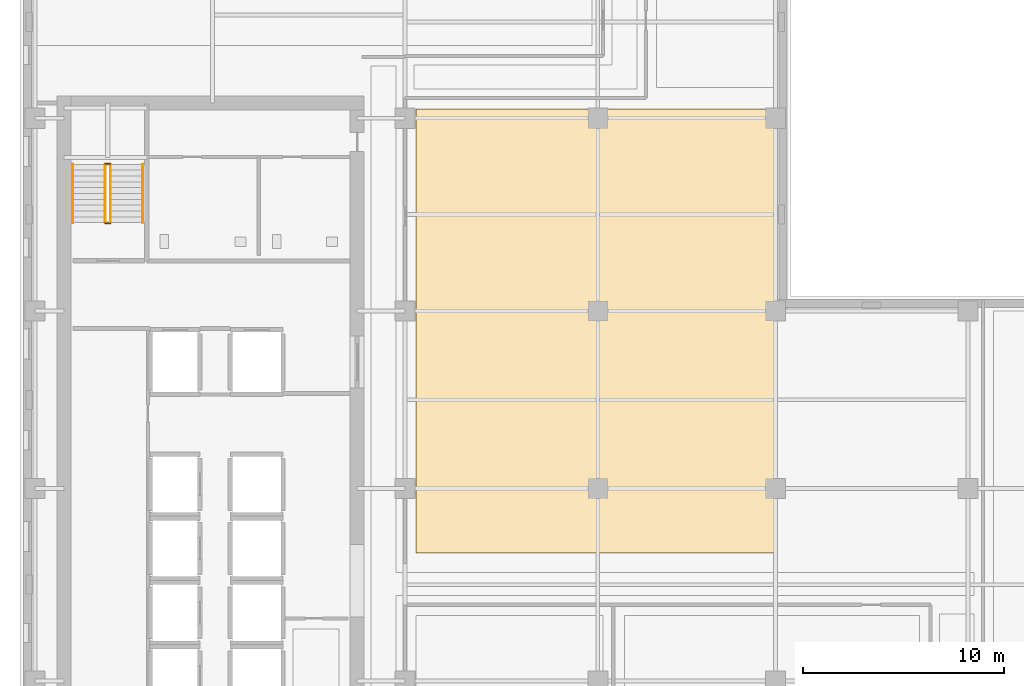
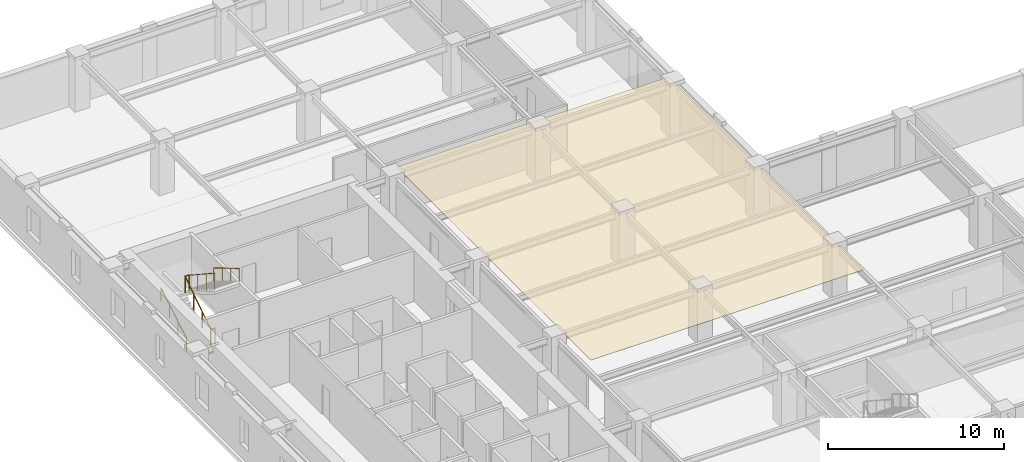
# One storey, part 10 of 12: 6 railings, 1 covering.
"""IFC4 building model written with IfcOpenShell, lengths in metres."""

from ifc_helpers import new_model, si_unit, direction, frame, origin, origin_2d, place, context, subcontext, project, spatial, polyline, circle, outline, extrude, material, layer, layer_set, type_object, element, save


model = new_model("IFC4")

# Units and contexts
model_context = context("Model", 3, precision=1e-05, world=origin(), true_north=direction((0.0, 1.0)))
body_context = subcontext(model_context, "Body", "Model", "MODEL_VIEW")
ifc_project = project(units=[si_unit("LENGTHUNIT", "METRE"), si_unit("AREAUNIT", "SQUARE_METRE"), si_unit("VOLUMEUNIT", "CUBIC_METRE"), si_unit("PLANEANGLEUNIT", "RADIAN"), si_unit("MASSUNIT", "GRAM", prefix="KILO")], contexts=[model_context])

# Site, building, storey
site_placement = place(None, origin())
site = spatial("IfcSite", under=ifc_project, at=site_placement, CompositionType="ELEMENT")
building_placement = place(site_placement, origin())
building = spatial("IfcBuilding", under=site, at=building_placement, Name="Norrvale University Quadrangle", CompositionType="ELEMENT")
storey_placement = place(building_placement, frame((0.0, 0.0, 143.199951171875)))
storey = spatial("IfcBuildingStorey", under=building, at=storey_placement, Name="L36", CompositionType="ELEMENT", Elevation=143.199951171875)

# Covering
ifc_material_1 = material(Name="Perforated Acoustic Mineral Ceiling")
ifc_layer = layer(ifc_material_1, 0.02490234375, Name="Perforated Acoustic Mineral Ceiling")
ifc_layer_set = layer_set([ifc_layer], Name="Perforated Acoustic Mineral Ceiling")
covering_type = type_object("IfcCoveringType", Name="Covering Acoustic Ceiling 25", PredefinedType="CEILING", material=ifc_layer_set)
covering_placement = place(storey_placement, frame((0.0, 0.0, 3.51513671875)))
element("IfcCovering", 1, at=covering_placement, inside=storey, type_object=covering_type, Name="Acoustic Ceiling RM-L36-MNE01", PredefinedType="CEILING", context=body_context, shape_type="SweptSolid", body=[
    extrude(outline(polyline([(19.72998046875, 47.719970703125), (37.64990234375, 47.719970703125), (37.64990234375, 25.580078125), (19.72998046875, 25.580078125), (19.72998046875, 47.719970703125)])), origin(), (0.0, 0.0, 1.0), 0.02490234375),
])

# Railings
ifc_material_2 = material(Name="Steel 350W Painted Balustrade", Category="steel")
railing_type_1 = type_object("IfcRailingType", Name="Railing Stair Guard 1100", PredefinedType="GUARDRAIL", material=ifc_material_2)
for number, where, name in (
    (2, (4.239990234375, 42.02001953125, 0.0), "Stair Floor Well Guard ST-02 L36"),
    (3, (4.239990234375, 44.97998046875, 1.900146484375), "Stair Mid-Landing Slot Guard ST-02 L36"),
):
    element("IfcRailing", number, at=place(storey_placement, frame(where)), inside=storey, type_object=railing_type_1, Name=name, PredefinedType="GUARDRAIL", context=body_context, shape_type="SweptSolid", body=[
        extrude(circle(Radius=0.02392578125, at=origin_2d()), frame((0.0, 0.0, 1.1259765625), z_axis=(1.0, 0.0, 0.0), x_axis=(0.0, 1.0, 0.0)), (0.0, 0.0, 1.0), 0.27001953125),
        extrude(circle(Radius=0.02099609375, at=origin_2d()), origin(), (0.0, 0.0, 1.0), 1.101806640625),
        extrude(circle(Radius=0.02099609375, at=origin_2d()), frame((0.27001953125, 0.0, 0.0)), (0.0, 0.0, 1.0), 1.101806640625),
    ])
railing_1_placement = place(storey_placement, frame((4.239990234375, 42.050048828125, 0.0)))
element("IfcRailing", 4, at=railing_1_placement, inside=storey, type_object=railing_type_1, Name="Stair Lower Flight Inner Guard ST-02 L36", PredefinedType="GUARDRAIL", context=body_context, shape_type="SweptSolid", body=[
    extrude(circle(Radius=0.02392578125, at=origin_2d()), frame((0.0, 0.0, 1.1259765625), z_axis=(0.0, 0.836433300813, 0.548068730445), x_axis=(-1.0, 0.0, 0.0)), (0.0, 0.0, 1.0), 3.467041015625),
    extrude(circle(Radius=0.02099609375, at=origin_2d()), origin(), (0.0, 0.0, 1.0), 1.101806640625),
    extrude(circle(Radius=0.02099609375, at=origin_2d()), frame((0.0, 0.966552734375, 0.63330078125)), (0.0, 0.0, 1.0), 1.101806640625),
    extrude(circle(Radius=0.02099609375, at=origin_2d()), frame((0.0, 1.933349609375, 1.266845703125)), (0.0, 0.0, 1.0), 1.101806640625),
    extrude(circle(Radius=0.02099609375, at=origin_2d()), frame((0.0, 2.89990234375, 1.900146484375)), (0.0, 0.0, 1.0), 1.101806640625),
])
railing_2_placement = place(storey_placement, frame((4.510009765625, 44.949951171875, 1.900146484375)))
element("IfcRailing", 5, at=railing_2_placement, inside=storey, type_object=railing_type_1, Name="Stair Upper Flight Inner Guard ST-02 L36", PredefinedType="GUARDRAIL", context=body_context, shape_type="SweptSolid", body=[
    extrude(circle(Radius=0.02392578125, at=origin_2d()), frame((0.0, 0.0, 1.1259765625), z_axis=(0.0, -0.836465582154, 0.548019461216), x_axis=(1.0, 0.0, 0.0)), (0.0, 0.0, 1.0), 3.466796875),
    extrude(circle(Radius=0.02099609375, at=origin_2d()), origin(), (0.0, 0.0, 1.0), 1.101806640625),
    extrude(circle(Radius=0.02099609375, at=origin_2d()), frame((0.0, -0.966552734375, 0.63330078125)), (0.0, 0.0, 1.0), 1.101806640625),
    extrude(circle(Radius=0.02099609375, at=origin_2d()), frame((0.0, -1.933349609375, 1.2666015625)), (0.0, 0.0, 1.0), 1.101806640625),
    extrude(circle(Radius=0.02099609375, at=origin_2d()), frame((0.0, -2.89990234375, 1.89990234375)), (0.0, 0.0, 1.0), 1.101806640625),
])
ifc_material_3 = material(Name="Stainless Steel 316L Handrail", Category="steel")
railing_type_2 = type_object("IfcRailingType", Name="Railing Stair Handrail 920", PredefinedType="HANDRAIL", material=ifc_material_3)
railing_3_placement = place(storey_placement, frame((2.639892578125, 42.050048828125, 0.1728515625)))
element("IfcRailing", 6, at=railing_3_placement, inside=storey, type_object=railing_type_2, Name="Stair Lower Flight Handrail ST-02 L36", PredefinedType="HANDRAIL", context=body_context, shape_type="SweptSolid", body=[
    extrude(circle(Radius=0.02392578125, at=origin_2d()), frame((0.0, 0.0, 0.89599609375), z_axis=(0.0, 0.859141464434, 0.511738159696), x_axis=(-1.0, 0.0, 0.0)), (0.0, 0.0, 1.0), 3.375244140625),
    extrude(circle(Radius=0.02099609375, at=origin_2d()), origin(), (0.0, 0.0, 1.0), 0.871826171875),
    extrude(circle(Radius=0.02099609375, at=origin_2d()), frame((0.0, 0.966552734375, 0.57568359375)), (0.0, 0.0, 1.0), 0.871826171875),
    extrude(circle(Radius=0.02099609375, at=origin_2d()), frame((0.0, 1.933349609375, 1.151611328125)), (0.0, 0.0, 1.0), 0.871826171875),
    extrude(circle(Radius=0.02099609375, at=origin_2d()), frame((0.0, 2.89990234375, 1.727294921875)), (0.0, 0.0, 1.0), 0.871826171875),
])
railing_4_placement = place(storey_placement, frame((6.110107421875, 44.949951171875, 2.07275390625)))
element("IfcRailing", 7, at=railing_4_placement, inside=storey, type_object=railing_type_2, Name="Stair Upper Flight Handrail ST-02 L36", PredefinedType="HANDRAIL", context=body_context, shape_type="SweptSolid", body=[
    extrude(circle(Radius=0.02392578125, at=origin_2d()), frame((0.0, 0.0, 0.89599609375), z_axis=(0.0, -0.859141464434, 0.511738159696), x_axis=(1.0, 0.0, 0.0)), (0.0, 0.0, 1.0), 3.375244140625),
    extrude(circle(Radius=0.02099609375, at=origin_2d()), origin(), (0.0, 0.0, 1.0), 0.871826171875),
    extrude(circle(Radius=0.02099609375, at=origin_2d()), frame((0.0, -0.966552734375, 0.57568359375)), (0.0, 0.0, 1.0), 0.871826171875),
    extrude(circle(Radius=0.02099609375, at=origin_2d()), frame((0.0, -1.933349609375, 1.151611328125)), (0.0, 0.0, 1.0), 0.871826171875),
    extrude(circle(Radius=0.02099609375, at=origin_2d()), frame((0.0, -2.89990234375, 1.727294921875)), (0.0, 0.0, 1.0), 0.871826171875),
])

save(model, "model.ifc")
